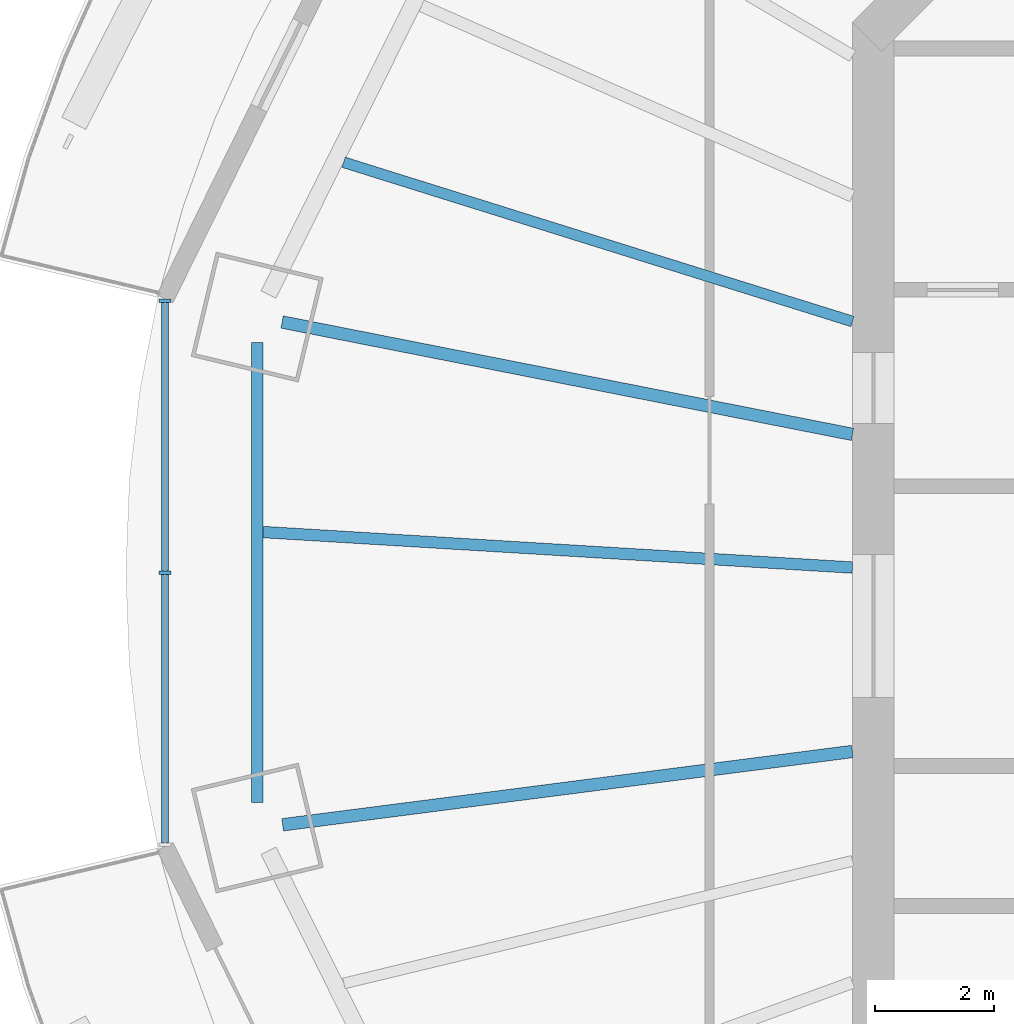
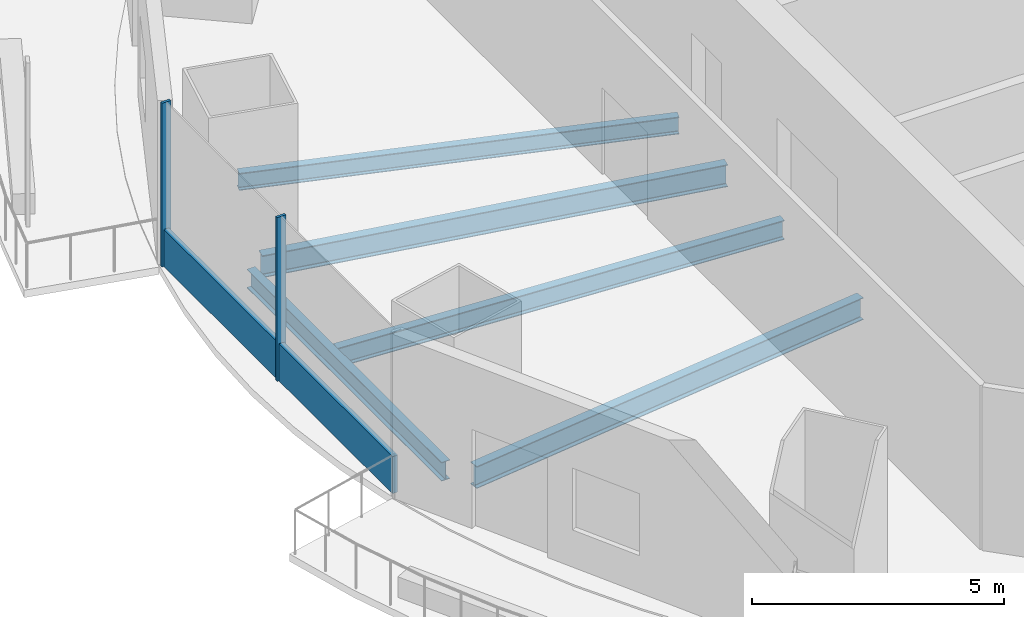
# One storey, part 3 of 16: 5 beams, 3 members, 1 element without a shape of its own.
"""IFC4 building model written with IfcOpenShell, lengths in metres."""

from ifc_helpers import new_model, si_unit, direction, frame, origin, origin_2d, place, context, subcontext, project, spatial, rectangle, i_section, extrude, material, material_profile, profile_set, type_object, element, aggregate, save


model = new_model("IFC4")

# Units and contexts
model_context = context("Model", 3, precision=1e-05, world=origin(), true_north=direction((0.0, 1.0)))
body_context = subcontext(model_context, "Body", "Model", "MODEL_VIEW")
ifc_project = project(units=[si_unit("LENGTHUNIT", "METRE"), si_unit("AREAUNIT", "SQUARE_METRE"), si_unit("VOLUMEUNIT", "CUBIC_METRE"), si_unit("PLANEANGLEUNIT", "RADIAN"), si_unit("MASSUNIT", "GRAM", prefix="KILO")], contexts=[model_context])

# Site, building, storey
site_placement = place(None, origin())
site = spatial("IfcSite", under=ifc_project, at=site_placement, CompositionType="ELEMENT")
building_placement = place(site_placement, origin())
building = spatial("IfcBuilding", under=site, at=building_placement, Name="Marenthal Gate Tower", CompositionType="ELEMENT")
storey_placement = place(building_placement, frame((0.0, 0.0, 313.550048828125)))
storey = spatial("IfcBuildingStorey", under=building, at=storey_placement, Name="L70", CompositionType="ELEMENT", Elevation=313.550048828125)

# Curtain wall, members
ifc_material_1 = material(Name="Aluminium and glass", Category="aluminium")
curtain_wall_type = type_object("IfcCurtainWallType", Name="Curtain wall typical high", PredefinedType="NOTDEFINED", material=ifc_material_1)
curtain_wall_placement = place(storey_placement, origin())
curtain_wall = element("IfcCurtainWall", 1, at=curtain_wall_placement, inside=storey, type_object=curtain_wall_type, Name="Curtain wall L70 bay 8", PredefinedType="NOTDEFINED")
ifc_material_2 = material(Name="Aluminium", Category="aluminium")
ifc_material_profile_1 = material_profile(ifc_material_2, rectangle(XDim=0.199951171875, YDim=0.06005859375, at=origin_2d()), Name="60x200 aluminium mullion")
ifc_profile_set_1 = profile_set([ifc_material_profile_1], Name="Aluminium")
member_type_1 = type_object("IfcMemberType", Name="Mullion 60x200 typical high", PredefinedType="MULLION", material=ifc_profile_set_1)
member_1_placement = place(storey_placement, frame((-27.895263671875, 5.46875, 0.0), z_axis=(0.0, 0.0, 1.0), x_axis=(1.0, 0.0, 0.0)))
member_1 = element("IfcMember", 2, at=member_1_placement, type_object=member_type_1, Name="Mullion L70 bay 8.1", PredefinedType="MULLION", context=body_context, shape_type="SweptSolid", body=[
    extrude(rectangle(XDim=0.199951171875, YDim=0.06005859375, at=origin_2d()), origin(), (0.0, 0.0, 1.0), 3.969970703125),
])
member_2_placement = place(storey_placement, frame((-27.895263671875, 0.89990234375, 0.0), z_axis=(0.0, 0.0, 1.0), x_axis=(1.0, 0.0, 0.0)))
member_2 = element("IfcMember", 3, at=member_2_placement, type_object=member_type_1, Name="Mullion L70 bay 8.2", PredefinedType="MULLION", context=body_context, shape_type="SweptSolid", body=[
    extrude(rectangle(XDim=0.199951171875, YDim=0.06005859375, at=origin_2d()), origin(), (0.0, 0.0, 1.0), 3.969970703125),
])
ifc_material_3 = material(Name="Aluminium", Category="aluminium")
ifc_material_profile_2 = material_profile(ifc_material_3, rectangle(XDim=0.1201171875, YDim=0.89990234375, at=origin_2d()), Name="120x900 aluminium transom")
ifc_profile_set_2 = profile_set([ifc_material_profile_2], Name="Aluminium")
member_type_2 = type_object("IfcMemberType", Name="Transom 120x900 typical high", PredefinedType="USERDEFINED", material=ifc_profile_set_2)
member_3_placement = place(storey_placement, frame((-27.895263671875, 5.438720703125, 0.449951171875), z_axis=(0.0, -1.0, 0.0), x_axis=(1.0, 0.0, 0.0)))
member_3 = element("IfcMember", 4, at=member_3_placement, type_object=member_type_2, Name="Transom L70 bay 8", ObjectType="TRANSOM", PredefinedType="USERDEFINED", context=body_context, shape_type="SweptSolid", body=[
    extrude(rectangle(XDim=0.1201171875, YDim=0.89990234375, at=origin_2d()), origin(), (0.0, 0.0, 1.0), 9.077392578125),
])
aggregate(curtain_wall, [member_1, member_2, member_3])

# Beams
ifc_material_4 = material(Name="Steel S355", Category="steel")
ifc_material_profile_3 = material_profile(ifc_material_4, i_section(OverallWidth=0.180908203125, OverallDepth=0.4169921875, WebThickness=0.010986328125, FlangeThickness=0.018310546875, FilletRadius=0.01025390625, at=origin_2d()), Name="W410X85")
ifc_profile_set_3 = profile_set([ifc_material_profile_3], Name="Steel S355")
beam_type_1 = type_object("IfcBeamType", Name="W410X85 beam", PredefinedType="BEAM", material=ifc_profile_set_3)
beam_1_placement = place(storey_placement, frame((-24.894287109375, 7.790771484375, -0.388427734375), z_axis=(0.95435227697, -0.298683329704, 0.0), x_axis=(0.298683329704, 0.95435227697, 0.0)))
element("IfcBeam", 5, at=beam_1_placement, inside=storey, type_object=beam_type_1, Name="BM-L70-27", PredefinedType="BEAM", context=body_context, shape_type="SweptSolid", body=[
    extrude(i_section(OverallWidth=0.180908203125, OverallDepth=0.4169921875, WebThickness=0.010986328125, FlangeThickness=0.018310546875, FilletRadius=0.01025390625, at=origin_2d()), origin(), (0.0, 0.0, 1.0), 8.952880859375),
])
ifc_material_5 = material(Name="Steel S355", Category="steel")
ifc_material_profile_4 = material_profile(ifc_material_5, i_section(OverallWidth=0.19091796875, OverallDepth=0.45703125, WebThickness=0.009033203125, FlangeThickness=0.014404296875, FilletRadius=0.01025390625, at=origin_2d()), Name="W460X74")
ifc_profile_set_4 = profile_set([ifc_material_profile_4], Name="Steel S355")
beam_type_2 = type_object("IfcBeamType", Name="W460X74 beam", PredefinedType="BEAM", material=ifc_profile_set_4)
beam_2_placement = place(storey_placement, frame((-26.345703125, 4.764892578125, -0.408447265625), z_axis=(0.0, -1.0, 0.0), x_axis=(1.0, 0.0, 0.0)))
element("IfcBeam", 6, at=beam_2_placement, inside=storey, type_object=beam_type_2, Name="BM-L70-48", PredefinedType="BEAM", context=body_context, shape_type="SweptSolid", body=[
    extrude(i_section(OverallWidth=0.19091796875, OverallDepth=0.45703125, WebThickness=0.009033203125, FlangeThickness=0.014404296875, FilletRadius=0.01025390625, at=origin_2d()), origin(), (0.0, 0.0, 1.0), 7.72998046875),
])
ifc_material_6 = material(Name="Steel S355", Category="steel")
ifc_material_profile_5 = material_profile(ifc_material_6, i_section(OverallWidth=0.193115234375, OverallDepth=0.467041015625, WebThickness=0.011474609375, FlangeThickness=0.01904296875, FilletRadius=0.010009765625, at=origin_2d()), Name="W460X97")
ifc_profile_set_5 = profile_set([ifc_material_profile_5], Name="Steel S355")
beam_type_3 = type_object("IfcBeamType", Name="W460X97 beam", PredefinedType="BEAM", material=ifc_profile_set_5)
beam_3_placement = place(storey_placement, frame((-26.250244140625, 1.580810546875, -0.41357421875), z_axis=(0.998191664878, -0.060111564342, 0.0), x_axis=(0.060111564342, 0.998191664878, 0.0)))
element("IfcBeam", 7, at=beam_3_placement, inside=storey, type_object=beam_type_3, Name="BM-L70-28", PredefinedType="BEAM", context=body_context, shape_type="SweptSolid", body=[
    extrude(i_section(OverallWidth=0.193115234375, OverallDepth=0.467041015625, WebThickness=0.011474609375, FlangeThickness=0.01904296875, FilletRadius=0.010009765625, at=origin_2d()), origin(), (0.0, 0.0, 1.0), 9.91796875),
])
ifc_material_7 = material(Name="Steel S355", Category="steel")
ifc_material_profile_6 = material_profile(ifc_material_7, i_section(OverallWidth=0.2099609375, OverallDepth=0.535888671875, WebThickness=0.010986328125, FlangeThickness=0.017333984375, FilletRadius=0.0126953125, at=origin_2d()), Name="W530X101")
ifc_profile_set_6 = profile_set([ifc_material_profile_6], Name="Steel S355")
beam_type_4 = type_object("IfcBeamType", Name="W530X101 beam", PredefinedType="BEAM", material=ifc_profile_set_6)
beam_4_placement = place(storey_placement, frame((-25.927978515625, 5.108154296875, -0.447998046875), z_axis=(0.981140296866, -0.193296968073, 0.0), x_axis=(0.193296968073, 0.981140296866, 0.0)))
element("IfcBeam", 8, at=beam_4_placement, inside=storey, type_object=beam_type_4, Name="BM-L70-08", PredefinedType="BEAM", context=body_context, shape_type="SweptSolid", body=[
    extrude(i_section(OverallWidth=0.2099609375, OverallDepth=0.535888671875, WebThickness=0.010986328125, FlangeThickness=0.017333984375, FilletRadius=0.0126953125, at=origin_2d()), origin(), (0.0, 0.0, 1.0), 9.761962890625),
])
beam_5_placement = place(storey_placement, frame((-25.9189453125, -3.33544921875, -0.447998046875), z_axis=(0.991820496546, 0.127640521115, 0.0), x_axis=(-0.127640521115, 0.991820496546, 0.0)))
element("IfcBeam", 9, at=beam_5_placement, inside=storey, type_object=beam_type_4, Name="BM-L70-09", PredefinedType="BEAM", context=body_context, shape_type="SweptSolid", body=[
    extrude(i_section(OverallWidth=0.2099609375, OverallDepth=0.535888671875, WebThickness=0.010986328125, FlangeThickness=0.017333984375, FilletRadius=0.0126953125, at=origin_2d()), origin(), (0.0, 0.0, 1.0), 9.647705078125),
])

save(model, "model.ifc")
